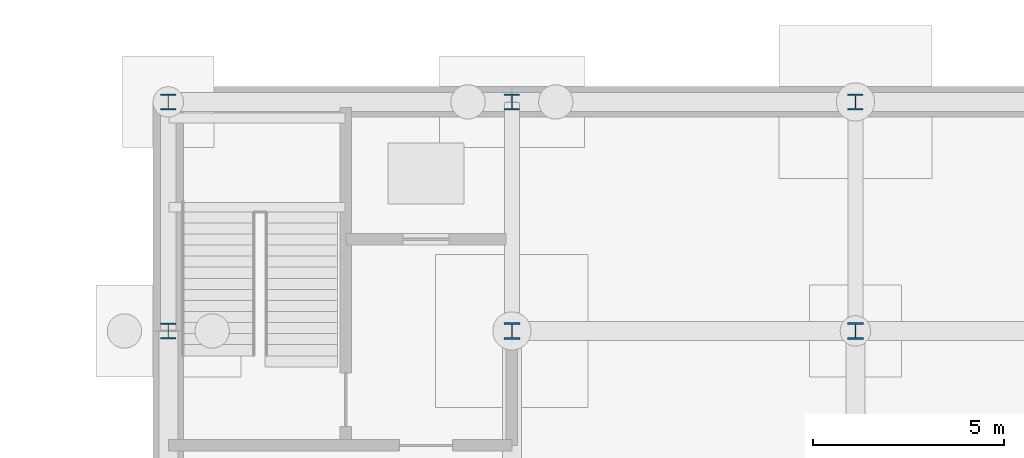
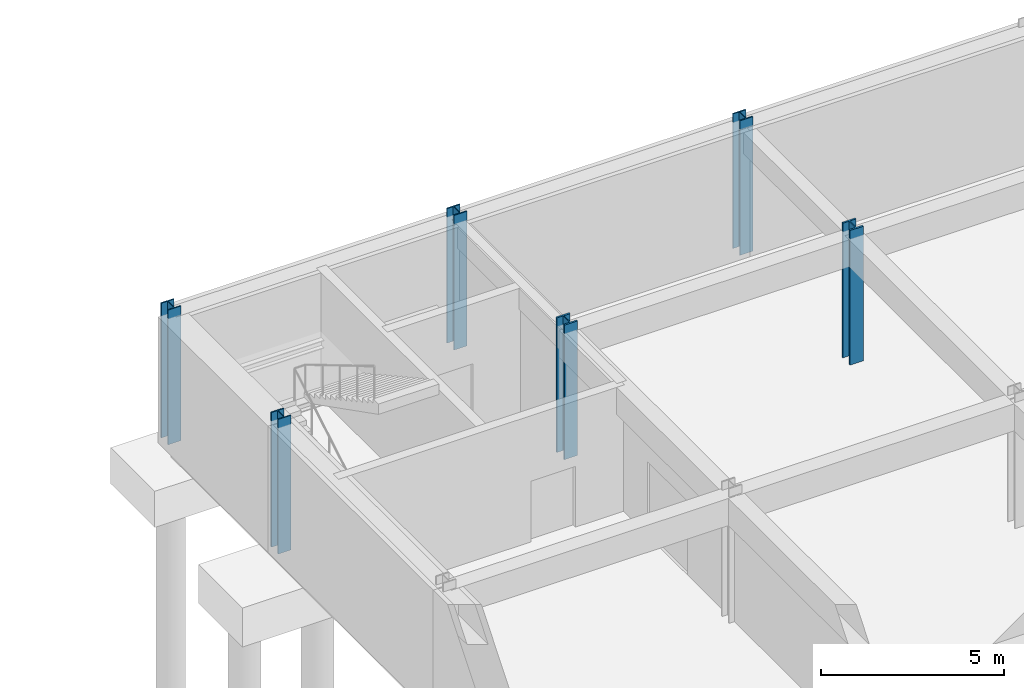
# One storey, part 14 of 41: 6 columns.
"""IFC4 building model written with IfcOpenShell, lengths in metres."""

from ifc_helpers import new_model, si_unit, direction, frame, origin, origin_2d, place, context, subcontext, project, spatial, i_section, extrude, material, material_profile, profile_set, type_object, element, save


model = new_model("IFC4")

# Units and contexts
model_context = context("Model", 3, precision=1e-05, world=origin(), true_north=direction((0.0, 1.0)))
body_context = subcontext(model_context, "Body", "Model", "MODEL_VIEW")
ifc_project = project(units=[si_unit("LENGTHUNIT", "METRE"), si_unit("AREAUNIT", "SQUARE_METRE"), si_unit("VOLUMEUNIT", "CUBIC_METRE"), si_unit("PLANEANGLEUNIT", "RADIAN"), si_unit("MASSUNIT", "GRAM", prefix="KILO")], contexts=[model_context])

# Site, building, storey
site_placement = place(None, origin())
site = spatial("IfcSite", under=ifc_project, at=site_placement, CompositionType="ELEMENT")
building_placement = place(site_placement, origin())
building = spatial("IfcBuilding", under=site, at=building_placement, Name="Palais des Congres Ocreval", CompositionType="ELEMENT")
storey_placement = place(building_placement, frame((0.0, 0.0, -8.9599609375)))
storey = spatial("IfcBuildingStorey", under=building, at=storey_placement, Name="B2", CompositionType="ELEMENT", Elevation=-8.9599609375)

# Columns
ifc_material_1 = material(Name="Steel S355", Category="steel")
ifc_material_profile_1 = material_profile(ifc_material_1, i_section(OverallWidth=0.406005859375, OverallDepth=0.416015625, WebThickness=0.0224609375, FlangeThickness=0.0380859375, at=origin_2d()), Name="HD 400x382")
ifc_profile_set_1 = profile_set([ifc_material_profile_1], Name="Steel S355")
column_type_1 = type_object("IfcColumnType", Name="Column HD 400x382 Steel S355", PredefinedType="COLUMN", material=ifc_profile_set_1)
for number, where, z_axis, x_axis, name in (
    (1, (99.0, 108.0, 0.0), (0.0, 0.0, 1.0), (1.0, 0.0, 0.0), "Column C03 B2"),
    (2, (99.0, 114.0, 0.0), (0.0, 0.0, 1.0), (1.0, 0.0, 0.0), "Column C03 B2"),
    (3, (108.0, 114.0, 0.0), (0.0, 0.0, 1.0), (1.0, 0.0, 0.0), "Column C03 B2"),
    (4, (117.0, 114.0, 0.0), (0.0, 0.0, 1.0), (1.0, 0.0, 0.0), "Column C03 B2"),
):
    element("IfcColumn", number, at=place(storey_placement, frame(where, z_axis=z_axis, x_axis=x_axis)), inside=storey, type_object=column_type_1, Name=name, PredefinedType="COLUMN", context=body_context, shape_type="SweptSolid", body=[
        extrude(i_section(OverallWidth=0.406005859375, OverallDepth=0.416015625, WebThickness=0.0224609375, FlangeThickness=0.0380859375, at=origin_2d()), origin(), (0.0, 0.0, 1.0), 4.47998046875),
    ])
ifc_material_2 = material(Name="Steel S460", Category="steel")
ifc_material_profile_2 = material_profile(ifc_material_2, i_section(OverallWidth=0.41796875, OverallDepth=0.455078125, WebThickness=0.031982421875, FlangeThickness=0.055908203125, at=origin_2d()), Name="HD 400x551")
ifc_profile_set_2 = profile_set([ifc_material_profile_2], Name="Steel S460")
column_type_2 = type_object("IfcColumnType", Name="Column HD 400x551 Steel S460", PredefinedType="COLUMN", material=ifc_profile_set_2)
for number, where, z_axis, x_axis, name in (
    (5, (108.0, 108.0, 0.0), (0.0, 0.0, 1.0), (1.0, 0.0, 0.0), "Column C01 B2"),
    (6, (117.0, 108.0, 0.0), (0.0, 0.0, 1.0), (1.0, 0.0, 0.0), "Column C01 B2"),
):
    element("IfcColumn", number, at=place(storey_placement, frame(where, z_axis=z_axis, x_axis=x_axis)), inside=storey, type_object=column_type_2, Name=name, PredefinedType="COLUMN", context=body_context, shape_type="SweptSolid", body=[
        extrude(i_section(OverallWidth=0.41796875, OverallDepth=0.455078125, WebThickness=0.031982421875, FlangeThickness=0.055908203125, at=origin_2d()), origin(), (0.0, 0.0, 1.0), 4.47998046875),
    ])

save(model, "model.ifc")
